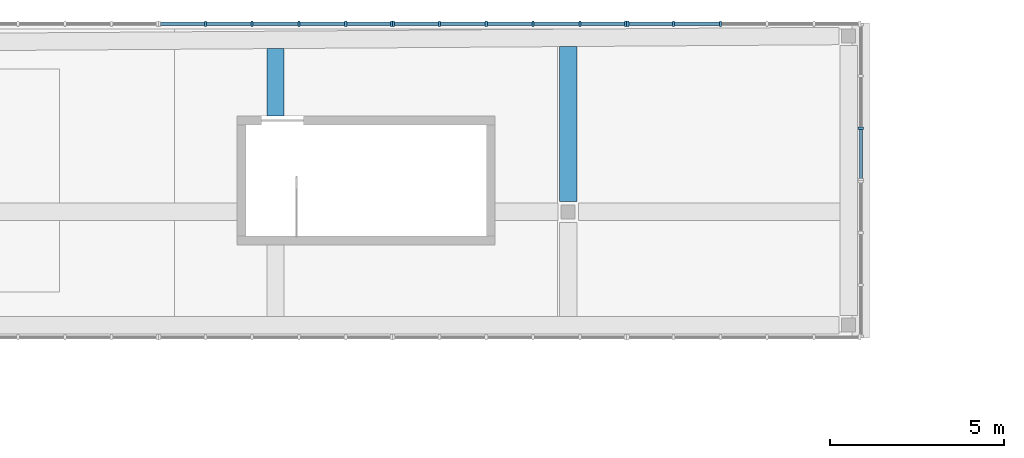
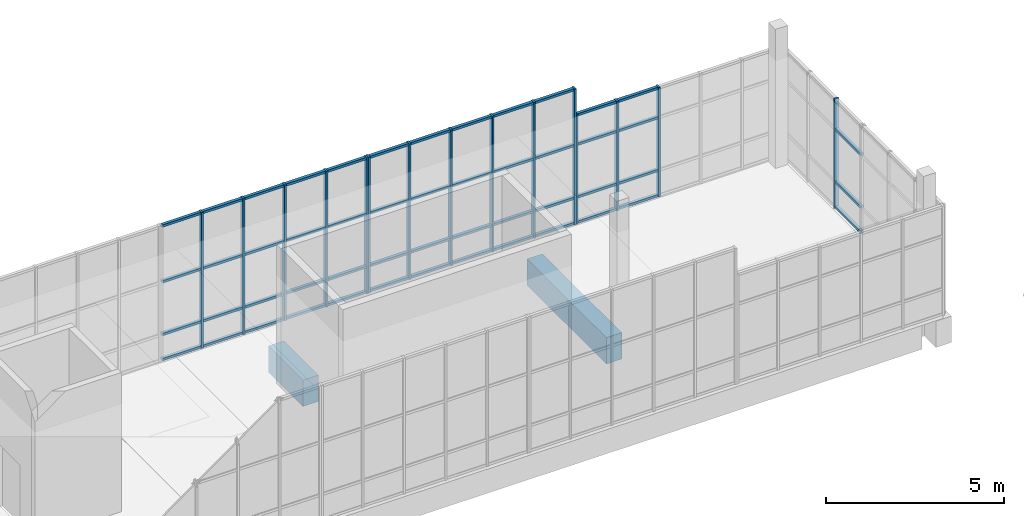
# One storey, part 33 of 103: 66 members, 2 beams, 4 elements without a shape of their own.
"""IFC4 building model written with IfcOpenShell, lengths in metres."""

from ifc_helpers import new_model, si_unit, direction, frame, origin, origin_2d, place, context, subcontext, project, spatial, rectangle, extrude, material, layer, layer_set, material_profile, profile_set, type_object, element, aggregate, save


model = new_model("IFC4")

# Units and contexts
model_context = context("Model", 3, precision=1e-05, world=origin(), true_north=direction((0.0, 1.0)))
body_context = subcontext(model_context, "Body", "Model", "MODEL_VIEW")
ifc_project = project(units=[si_unit("LENGTHUNIT", "METRE"), si_unit("AREAUNIT", "SQUARE_METRE"), si_unit("VOLUMEUNIT", "CUBIC_METRE"), si_unit("PLANEANGLEUNIT", "RADIAN"), si_unit("MASSUNIT", "GRAM", prefix="KILO")], contexts=[model_context])

# Site, building, storey
site_placement = place(None, origin())
site = spatial("IfcSite", under=ifc_project, at=site_placement, CompositionType="ELEMENT")
building_placement = place(site_placement, origin())
building = spatial("IfcBuilding", under=site, at=building_placement, Name="Larchfold Concert Hall", CompositionType="ELEMENT")
storey_placement = place(building_placement, frame((0.0, 0.0, 9.60009765625)))
storey = spatial("IfcBuildingStorey", under=building, at=storey_placement, Name="L02", CompositionType="ELEMENT", Elevation=9.60009765625)

# Curtain wall, member
ifc_material_1 = material(Name="Anodised graphite aluminium curtain wall", Category="aluminium")
ifc_layer = layer(ifc_material_1, 0.14990234375)
ifc_layer_set = layer_set([ifc_layer], Name="Anodised graphite aluminium curtain wall")
curtain_wall_type = type_object("IfcCurtainWallType", Name="Curtain wall WG", PredefinedType="NOTDEFINED", material=ifc_layer_set)
curtain_wall_1_placement = place(storey_placement, origin())
curtain_wall_1 = element("IfcCurtainWall", 1, at=curtain_wall_1_placement, inside=storey, type_object=curtain_wall_type, Name="Curtain wall CW0249", PredefinedType="NOTDEFINED")
ifc_material_2 = material(Name="Anodised graphite aluminium mullion", Category="aluminium")
ifc_material_profile_1 = material_profile(ifc_material_2, rectangle(XDim=0.14990234375, YDim=0.06005859375, at=origin_2d()))
ifc_profile_set_1 = profile_set([ifc_material_profile_1], Name="Anodised graphite aluminium mullion")
member_type_1 = type_object("IfcMemberType", Name="Aluminium mullion 60x150", PredefinedType="MULLION", material=ifc_profile_set_1)
member_1_placement = place(storey_placement, frame((76.199951171875, 129.0, 0.0), z_axis=(0.0, 0.0, 1.0), x_axis=(-1.0, 0.0, 0.0)))
member_1 = element("IfcMember", 2, at=member_1_placement, type_object=member_type_1, Name="CW0249 mullion 2", PredefinedType="MULLION", context=body_context, shape_type="SweptSolid", body=[
    extrude(rectangle(XDim=0.14990234375, YDim=0.06005859375, at=origin_2d()), origin(), (0.0, 0.0, 1.0), 3.75),
])

# Curtain wall, members
curtain_wall_2_placement = place(storey_placement, origin())
curtain_wall_2 = element("IfcCurtainWall", 3, at=curtain_wall_2_placement, inside=storey, type_object=curtain_wall_type, Name="Curtain wall CW0250", PredefinedType="NOTDEFINED")
member_2_placement = place(storey_placement, frame((72.16796875, 132.0, 0.0), z_axis=(0.0, 0.0, 1.0), x_axis=(0.0, -1.0, 0.0)))
member_2 = element("IfcMember", 4, at=member_2_placement, type_object=member_type_1, Name="CW0250 mullion 4", PredefinedType="MULLION", context=body_context, shape_type="SweptSolid", body=[
    extrude(rectangle(XDim=0.14990234375, YDim=0.06005859375, at=origin_2d()), origin(), (0.0, 0.0, 1.0), 3.75),
])
member_3_placement = place(storey_placement, frame((70.823974609375, 132.0, 0.0), z_axis=(0.0, 0.0, 1.0), x_axis=(0.0, -1.0, 0.0)))
member_3 = element("IfcMember", 5, at=member_3_placement, type_object=member_type_1, Name="CW0250 mullion 5", PredefinedType="MULLION", context=body_context, shape_type="SweptSolid", body=[
    extrude(rectangle(XDim=0.14990234375, YDim=0.06005859375, at=origin_2d()), origin(), (0.0, 0.0, 1.0), 3.75),
])
member_4_placement = place(storey_placement, frame((69.510009765625, 132.0, 0.0), z_axis=(0.0, 0.0, 1.0), x_axis=(0.0, -1.0, 0.0)))
member_4 = element("IfcMember", 6, at=member_4_placement, type_object=member_type_1, Name="CW0250 mullion 6", PredefinedType="MULLION", context=body_context, shape_type="SweptSolid", body=[
    extrude(rectangle(XDim=0.14990234375, YDim=0.06005859375, at=origin_2d()), origin(), (0.0, 0.0, 1.0), 3.75),
])

curtain_wall_3_placement = place(storey_placement, origin())
curtain_wall_3 = element("IfcCurtainWall", 7, at=curtain_wall_3_placement, inside=storey, type_object=curtain_wall_type, Name="Curtain wall CW0251", PredefinedType="NOTDEFINED")
member_5_placement = place(storey_placement, frame((69.449951171875, 132.0, 0.0), z_axis=(0.0, 0.0, 1.0), x_axis=(0.0, -1.0, 0.0)))
member_5 = element("IfcMember", 8, at=member_5_placement, type_object=member_type_1, Name="CW0251 mullion 1", PredefinedType="MULLION", context=body_context, shape_type="SweptSolid", body=[
    extrude(rectangle(XDim=0.14990234375, YDim=0.06005859375, at=origin_2d()), origin(), (0.0, 0.0, 1.0), 4.64990234375),
])
member_6_placement = place(storey_placement, frame((68.135986328125, 132.0, 0.0), z_axis=(0.0, 0.0, 1.0), x_axis=(0.0, -1.0, 0.0)))
member_6 = element("IfcMember", 9, at=member_6_placement, type_object=member_type_1, Name="CW0251 mullion 2", PredefinedType="MULLION", context=body_context, shape_type="SweptSolid", body=[
    extrude(rectangle(XDim=0.14990234375, YDim=0.06005859375, at=origin_2d()), origin(), (0.0, 0.0, 1.0), 4.64990234375),
])
member_7_placement = place(storey_placement, frame((66.7919921875, 132.0, 0.0), z_axis=(0.0, 0.0, 1.0), x_axis=(0.0, -1.0, 0.0)))
member_7 = element("IfcMember", 10, at=member_7_placement, type_object=member_type_1, Name="CW0251 mullion 3", PredefinedType="MULLION", context=body_context, shape_type="SweptSolid", body=[
    extrude(rectangle(XDim=0.14990234375, YDim=0.06005859375, at=origin_2d()), origin(), (0.0, 0.0, 1.0), 4.64990234375),
])
member_8_placement = place(storey_placement, frame((65.447998046875, 132.0, 0.0), z_axis=(0.0, 0.0, 1.0), x_axis=(0.0, -1.0, 0.0)))
member_8 = element("IfcMember", 11, at=member_8_placement, type_object=member_type_1, Name="CW0251 mullion 4", PredefinedType="MULLION", context=body_context, shape_type="SweptSolid", body=[
    extrude(rectangle(XDim=0.14990234375, YDim=0.06005859375, at=origin_2d()), origin(), (0.0, 0.0, 1.0), 4.64990234375),
])
member_9_placement = place(storey_placement, frame((64.10400390625, 132.0, 0.0), z_axis=(0.0, 0.0, 1.0), x_axis=(0.0, -1.0, 0.0)))
member_9 = element("IfcMember", 12, at=member_9_placement, type_object=member_type_1, Name="CW0251 mullion 5", PredefinedType="MULLION", context=body_context, shape_type="SweptSolid", body=[
    extrude(rectangle(XDim=0.14990234375, YDim=0.06005859375, at=origin_2d()), origin(), (0.0, 0.0, 1.0), 4.64990234375),
])
member_10_placement = place(storey_placement, frame((62.7900390625, 132.0, 0.0), z_axis=(0.0, 0.0, 1.0), x_axis=(0.0, -1.0, 0.0)))
member_10 = element("IfcMember", 13, at=member_10_placement, type_object=member_type_1, Name="CW0251 mullion 6", PredefinedType="MULLION", context=body_context, shape_type="SweptSolid", body=[
    extrude(rectangle(XDim=0.14990234375, YDim=0.06005859375, at=origin_2d()), origin(), (0.0, 0.0, 1.0), 4.64990234375),
])

curtain_wall_4_placement = place(storey_placement, origin())
curtain_wall_4 = element("IfcCurtainWall", 14, at=curtain_wall_4_placement, inside=storey, type_object=curtain_wall_type, Name="Curtain wall CW0252", PredefinedType="NOTDEFINED")
member_11_placement = place(storey_placement, frame((62.72998046875, 132.0, 0.0), z_axis=(0.0, 0.0, 1.0), x_axis=(0.0, -1.0, 0.0)))
member_11 = element("IfcMember", 15, at=member_11_placement, type_object=member_type_1, Name="CW0252 mullion 1", PredefinedType="MULLION", context=body_context, shape_type="SweptSolid", body=[
    extrude(rectangle(XDim=0.14990234375, YDim=0.06005859375, at=origin_2d()), origin(), (0.0, 0.0, 1.0), 4.64990234375),
])
member_12_placement = place(storey_placement, frame((61.416015625, 132.0, 0.0), z_axis=(0.0, 0.0, 1.0), x_axis=(0.0, -1.0, 0.0)))
member_12 = element("IfcMember", 16, at=member_12_placement, type_object=member_type_1, Name="CW0252 mullion 2", PredefinedType="MULLION", context=body_context, shape_type="SweptSolid", body=[
    extrude(rectangle(XDim=0.14990234375, YDim=0.06005859375, at=origin_2d()), origin(), (0.0, 0.0, 1.0), 4.64990234375),
])
member_13_placement = place(storey_placement, frame((60.072021484375, 132.0, 0.0), z_axis=(0.0, 0.0, 1.0), x_axis=(0.0, -1.0, 0.0)))
member_13 = element("IfcMember", 17, at=member_13_placement, type_object=member_type_1, Name="CW0252 mullion 3", PredefinedType="MULLION", context=body_context, shape_type="SweptSolid", body=[
    extrude(rectangle(XDim=0.14990234375, YDim=0.06005859375, at=origin_2d()), origin(), (0.0, 0.0, 1.0), 4.64990234375),
])
member_14_placement = place(storey_placement, frame((58.72802734375, 132.0, 0.0), z_axis=(0.0, 0.0, 1.0), x_axis=(0.0, -1.0, 0.0)))
member_14 = element("IfcMember", 18, at=member_14_placement, type_object=member_type_1, Name="CW0252 mullion 4", PredefinedType="MULLION", context=body_context, shape_type="SweptSolid", body=[
    extrude(rectangle(XDim=0.14990234375, YDim=0.06005859375, at=origin_2d()), origin(), (0.0, 0.0, 1.0), 4.64990234375),
])
member_15_placement = place(storey_placement, frame((57.384033203125, 132.0, 0.0), z_axis=(0.0, 0.0, 1.0), x_axis=(0.0, -1.0, 0.0)))
member_15 = element("IfcMember", 19, at=member_15_placement, type_object=member_type_1, Name="CW0252 mullion 5", PredefinedType="MULLION", context=body_context, shape_type="SweptSolid", body=[
    extrude(rectangle(XDim=0.14990234375, YDim=0.06005859375, at=origin_2d()), origin(), (0.0, 0.0, 1.0), 4.64990234375),
])

# Member
ifc_material_3 = material(Name="Anodised graphite aluminium transom", Category="aluminium")
ifc_material_profile_2 = material_profile(ifc_material_3, rectangle(XDim=0.10009765625, YDim=0.080078125, at=origin_2d()))
ifc_profile_set_2 = profile_set([ifc_material_profile_2], Name="Anodised graphite aluminium transom")
member_type_2 = type_object("IfcMemberType", Name="Aluminium transom 80x100", PredefinedType="USERDEFINED", material=ifc_profile_set_2)
member_16_placement = place(storey_placement, frame((76.199951171875, 127.56005859375, 0.0400390625), z_axis=(0.0, 1.0, 0.0), x_axis=(-1.0, 0.0, 0.0)))
member_16 = element("IfcMember", 20, at=member_16_placement, type_object=member_type_2, Name="CW0249 transom 1.1", ObjectType="TRANSOM", PredefinedType="USERDEFINED", context=body_context, shape_type="SweptSolid", body=[
    extrude(rectangle(XDim=0.10009765625, YDim=0.080078125, at=origin_2d()), origin(), (0.0, 0.0, 1.0), 1.409912109375),
])

member_17_placement = place(storey_placement, frame((76.199951171875, 127.56005859375, 0.89990234375), z_axis=(0.0, 1.0, 0.0), x_axis=(-1.0, 0.0, 0.0)))
member_17 = element("IfcMember", 21, at=member_17_placement, type_object=member_type_2, Name="CW0249 transom 1.2", ObjectType="TRANSOM", PredefinedType="USERDEFINED", context=body_context, shape_type="SweptSolid", body=[
    extrude(rectangle(XDim=0.10009765625, YDim=0.080078125, at=origin_2d()), origin(), (0.0, 0.0, 1.0), 1.409912109375),
])

member_18_placement = place(storey_placement, frame((76.199951171875, 127.56005859375, 2.699951171875), z_axis=(0.0, 1.0, 0.0), x_axis=(-1.0, 0.0, 0.0)))
member_18 = element("IfcMember", 22, at=member_18_placement, type_object=member_type_2, Name="CW0249 transom 1.3", ObjectType="TRANSOM", PredefinedType="USERDEFINED", context=body_context, shape_type="SweptSolid", body=[
    extrude(rectangle(XDim=0.10009765625, YDim=0.080078125, at=origin_2d()), origin(), (0.0, 0.0, 1.0), 1.409912109375),
])

aggregate(curtain_wall_1, [member_1, member_16, member_17, member_18])

member_19_placement = place(storey_placement, frame((72.137939453125, 132.0, 0.0400390625), z_axis=(-1.0, 0.0, 0.0), x_axis=(0.0, -1.0, 0.0)))
member_19 = element("IfcMember", 23, at=member_19_placement, type_object=member_type_2, Name="CW0250 transom 4.1", ObjectType="TRANSOM", PredefinedType="USERDEFINED", context=body_context, shape_type="SweptSolid", body=[
    extrude(rectangle(XDim=0.10009765625, YDim=0.080078125, at=origin_2d()), origin(), (0.0, 0.0, 1.0), 1.283935546875),
])

member_20_placement = place(storey_placement, frame((72.137939453125, 132.0, 0.89990234375), z_axis=(-1.0, 0.0, 0.0), x_axis=(0.0, -1.0, 0.0)))
member_20 = element("IfcMember", 24, at=member_20_placement, type_object=member_type_2, Name="CW0250 transom 4.2", ObjectType="TRANSOM", PredefinedType="USERDEFINED", context=body_context, shape_type="SweptSolid", body=[
    extrude(rectangle(XDim=0.10009765625, YDim=0.080078125, at=origin_2d()), origin(), (0.0, 0.0, 1.0), 1.283935546875),
])

member_21_placement = place(storey_placement, frame((72.137939453125, 132.0, 2.699951171875), z_axis=(-1.0, 0.0, 0.0), x_axis=(0.0, -1.0, 0.0)))
member_21 = element("IfcMember", 25, at=member_21_placement, type_object=member_type_2, Name="CW0250 transom 4.3", ObjectType="TRANSOM", PredefinedType="USERDEFINED", context=body_context, shape_type="SweptSolid", body=[
    extrude(rectangle(XDim=0.10009765625, YDim=0.080078125, at=origin_2d()), origin(), (0.0, 0.0, 1.0), 1.283935546875),
])

member_22_placement = place(storey_placement, frame((72.137939453125, 132.0, 3.7099609375), z_axis=(-1.0, 0.0, 0.0), x_axis=(0.0, -1.0, 0.0)))
member_22 = element("IfcMember", 26, at=member_22_placement, type_object=member_type_2, Name="CW0250 transom 4.4", ObjectType="TRANSOM", PredefinedType="USERDEFINED", context=body_context, shape_type="SweptSolid", body=[
    extrude(rectangle(XDim=0.10009765625, YDim=0.080078125, at=origin_2d()), origin(), (0.0, 0.0, 1.0), 1.283935546875),
])

member_23_placement = place(storey_placement, frame((70.7939453125, 132.0, 0.0400390625), z_axis=(-1.0, 0.0, 0.0), x_axis=(0.0, -1.0, 0.0)))
member_23 = element("IfcMember", 27, at=member_23_placement, type_object=member_type_2, Name="CW0250 transom 5.1", ObjectType="TRANSOM", PredefinedType="USERDEFINED", context=body_context, shape_type="SweptSolid", body=[
    extrude(rectangle(XDim=0.10009765625, YDim=0.080078125, at=origin_2d()), origin(), (0.0, 0.0, 1.0), 1.25390625),
])

member_24_placement = place(storey_placement, frame((70.7939453125, 132.0, 0.89990234375), z_axis=(-1.0, 0.0, 0.0), x_axis=(0.0, -1.0, 0.0)))
member_24 = element("IfcMember", 28, at=member_24_placement, type_object=member_type_2, Name="CW0250 transom 5.2", ObjectType="TRANSOM", PredefinedType="USERDEFINED", context=body_context, shape_type="SweptSolid", body=[
    extrude(rectangle(XDim=0.10009765625, YDim=0.080078125, at=origin_2d()), origin(), (0.0, 0.0, 1.0), 1.25390625),
])

member_25_placement = place(storey_placement, frame((70.7939453125, 132.0, 2.699951171875), z_axis=(-1.0, 0.0, 0.0), x_axis=(0.0, -1.0, 0.0)))
member_25 = element("IfcMember", 29, at=member_25_placement, type_object=member_type_2, Name="CW0250 transom 5.3", ObjectType="TRANSOM", PredefinedType="USERDEFINED", context=body_context, shape_type="SweptSolid", body=[
    extrude(rectangle(XDim=0.10009765625, YDim=0.080078125, at=origin_2d()), origin(), (0.0, 0.0, 1.0), 1.25390625),
])

member_26_placement = place(storey_placement, frame((70.7939453125, 132.0, 3.7099609375), z_axis=(-1.0, 0.0, 0.0), x_axis=(0.0, -1.0, 0.0)))
member_26 = element("IfcMember", 30, at=member_26_placement, type_object=member_type_2, Name="CW0250 transom 5.4", ObjectType="TRANSOM", PredefinedType="USERDEFINED", context=body_context, shape_type="SweptSolid", body=[
    extrude(rectangle(XDim=0.10009765625, YDim=0.080078125, at=origin_2d()), origin(), (0.0, 0.0, 1.0), 1.25390625),
])

aggregate(curtain_wall_2, [member_2, member_3, member_4, member_19, member_20, member_21, member_22, member_23, member_24, member_25, member_26])

member_27_placement = place(storey_placement, frame((69.419921875, 132.0, 0.0400390625), z_axis=(-1.0, 0.0, 0.0), x_axis=(0.0, -1.0, 0.0)))
member_27 = element("IfcMember", 31, at=member_27_placement, type_object=member_type_2, Name="CW0251 transom 1.1", ObjectType="TRANSOM", PredefinedType="USERDEFINED", context=body_context, shape_type="SweptSolid", body=[
    extrude(rectangle(XDim=0.10009765625, YDim=0.080078125, at=origin_2d()), origin(), (0.0, 0.0, 1.0), 1.25390625),
])

member_28_placement = place(storey_placement, frame((69.419921875, 132.0, 0.89990234375), z_axis=(-1.0, 0.0, 0.0), x_axis=(0.0, -1.0, 0.0)))
member_28 = element("IfcMember", 32, at=member_28_placement, type_object=member_type_2, Name="CW0251 transom 1.2", ObjectType="TRANSOM", PredefinedType="USERDEFINED", context=body_context, shape_type="SweptSolid", body=[
    extrude(rectangle(XDim=0.10009765625, YDim=0.080078125, at=origin_2d()), origin(), (0.0, 0.0, 1.0), 1.25390625),
])

member_29_placement = place(storey_placement, frame((69.419921875, 132.0, 2.699951171875), z_axis=(-1.0, 0.0, 0.0), x_axis=(0.0, -1.0, 0.0)))
member_29 = element("IfcMember", 33, at=member_29_placement, type_object=member_type_2, Name="CW0251 transom 1.3", ObjectType="TRANSOM", PredefinedType="USERDEFINED", context=body_context, shape_type="SweptSolid", body=[
    extrude(rectangle(XDim=0.10009765625, YDim=0.080078125, at=origin_2d()), origin(), (0.0, 0.0, 1.0), 1.25390625),
])

member_30_placement = place(storey_placement, frame((69.419921875, 132.0, 4.60986328125), z_axis=(-1.0, 0.0, 0.0), x_axis=(0.0, -1.0, 0.0)))
member_30 = element("IfcMember", 34, at=member_30_placement, type_object=member_type_2, Name="CW0251 transom 1.4", ObjectType="TRANSOM", PredefinedType="USERDEFINED", context=body_context, shape_type="SweptSolid", body=[
    extrude(rectangle(XDim=0.10009765625, YDim=0.080078125, at=origin_2d()), origin(), (0.0, 0.0, 1.0), 1.25390625),
])

member_31_placement = place(storey_placement, frame((68.10595703125, 132.0, 0.0400390625), z_axis=(-1.0, 0.0, 0.0), x_axis=(0.0, -1.0, 0.0)))
member_31 = element("IfcMember", 35, at=member_31_placement, type_object=member_type_2, Name="CW0251 transom 2.1", ObjectType="TRANSOM", PredefinedType="USERDEFINED", context=body_context, shape_type="SweptSolid", body=[
    extrude(rectangle(XDim=0.10009765625, YDim=0.080078125, at=origin_2d()), origin(), (0.0, 0.0, 1.0), 1.283935546875),
])

member_32_placement = place(storey_placement, frame((68.10595703125, 132.0, 0.89990234375), z_axis=(-1.0, 0.0, 0.0), x_axis=(0.0, -1.0, 0.0)))
member_32 = element("IfcMember", 36, at=member_32_placement, type_object=member_type_2, Name="CW0251 transom 2.2", ObjectType="TRANSOM", PredefinedType="USERDEFINED", context=body_context, shape_type="SweptSolid", body=[
    extrude(rectangle(XDim=0.10009765625, YDim=0.080078125, at=origin_2d()), origin(), (0.0, 0.0, 1.0), 1.283935546875),
])

member_33_placement = place(storey_placement, frame((68.10595703125, 132.0, 2.699951171875), z_axis=(-1.0, 0.0, 0.0), x_axis=(0.0, -1.0, 0.0)))
member_33 = element("IfcMember", 37, at=member_33_placement, type_object=member_type_2, Name="CW0251 transom 2.3", ObjectType="TRANSOM", PredefinedType="USERDEFINED", context=body_context, shape_type="SweptSolid", body=[
    extrude(rectangle(XDim=0.10009765625, YDim=0.080078125, at=origin_2d()), origin(), (0.0, 0.0, 1.0), 1.283935546875),
])

member_34_placement = place(storey_placement, frame((68.10595703125, 132.0, 4.60986328125), z_axis=(-1.0, 0.0, 0.0), x_axis=(0.0, -1.0, 0.0)))
member_34 = element("IfcMember", 38, at=member_34_placement, type_object=member_type_2, Name="CW0251 transom 2.4", ObjectType="TRANSOM", PredefinedType="USERDEFINED", context=body_context, shape_type="SweptSolid", body=[
    extrude(rectangle(XDim=0.10009765625, YDim=0.080078125, at=origin_2d()), origin(), (0.0, 0.0, 1.0), 1.283935546875),
])

member_35_placement = place(storey_placement, frame((66.761962890625, 132.0, 0.0400390625), z_axis=(-1.0, 0.0, 0.0), x_axis=(0.0, -1.0, 0.0)))
member_35 = element("IfcMember", 39, at=member_35_placement, type_object=member_type_2, Name="CW0251 transom 3.1", ObjectType="TRANSOM", PredefinedType="USERDEFINED", context=body_context, shape_type="SweptSolid", body=[
    extrude(rectangle(XDim=0.10009765625, YDim=0.080078125, at=origin_2d()), origin(), (0.0, 0.0, 1.0), 1.283935546875),
])

member_36_placement = place(storey_placement, frame((66.761962890625, 132.0, 0.89990234375), z_axis=(-1.0, 0.0, 0.0), x_axis=(0.0, -1.0, 0.0)))
member_36 = element("IfcMember", 40, at=member_36_placement, type_object=member_type_2, Name="CW0251 transom 3.2", ObjectType="TRANSOM", PredefinedType="USERDEFINED", context=body_context, shape_type="SweptSolid", body=[
    extrude(rectangle(XDim=0.10009765625, YDim=0.080078125, at=origin_2d()), origin(), (0.0, 0.0, 1.0), 1.283935546875),
])

member_37_placement = place(storey_placement, frame((66.761962890625, 132.0, 2.699951171875), z_axis=(-1.0, 0.0, 0.0), x_axis=(0.0, -1.0, 0.0)))
member_37 = element("IfcMember", 41, at=member_37_placement, type_object=member_type_2, Name="CW0251 transom 3.3", ObjectType="TRANSOM", PredefinedType="USERDEFINED", context=body_context, shape_type="SweptSolid", body=[
    extrude(rectangle(XDim=0.10009765625, YDim=0.080078125, at=origin_2d()), origin(), (0.0, 0.0, 1.0), 1.283935546875),
])

member_38_placement = place(storey_placement, frame((66.761962890625, 132.0, 4.60986328125), z_axis=(-1.0, 0.0, 0.0), x_axis=(0.0, -1.0, 0.0)))
member_38 = element("IfcMember", 42, at=member_38_placement, type_object=member_type_2, Name="CW0251 transom 3.4", ObjectType="TRANSOM", PredefinedType="USERDEFINED", context=body_context, shape_type="SweptSolid", body=[
    extrude(rectangle(XDim=0.10009765625, YDim=0.080078125, at=origin_2d()), origin(), (0.0, 0.0, 1.0), 1.283935546875),
])

member_39_placement = place(storey_placement, frame((65.41796875, 132.0, 0.0400390625), z_axis=(-1.0, 0.0, 0.0), x_axis=(0.0, -1.0, 0.0)))
member_39 = element("IfcMember", 43, at=member_39_placement, type_object=member_type_2, Name="CW0251 transom 4.1", ObjectType="TRANSOM", PredefinedType="USERDEFINED", context=body_context, shape_type="SweptSolid", body=[
    extrude(rectangle(XDim=0.10009765625, YDim=0.080078125, at=origin_2d()), origin(), (0.0, 0.0, 1.0), 1.283935546875),
])

member_40_placement = place(storey_placement, frame((65.41796875, 132.0, 0.89990234375), z_axis=(-1.0, 0.0, 0.0), x_axis=(0.0, -1.0, 0.0)))
member_40 = element("IfcMember", 44, at=member_40_placement, type_object=member_type_2, Name="CW0251 transom 4.2", ObjectType="TRANSOM", PredefinedType="USERDEFINED", context=body_context, shape_type="SweptSolid", body=[
    extrude(rectangle(XDim=0.10009765625, YDim=0.080078125, at=origin_2d()), origin(), (0.0, 0.0, 1.0), 1.283935546875),
])

member_41_placement = place(storey_placement, frame((65.41796875, 132.0, 2.699951171875), z_axis=(-1.0, 0.0, 0.0), x_axis=(0.0, -1.0, 0.0)))
member_41 = element("IfcMember", 45, at=member_41_placement, type_object=member_type_2, Name="CW0251 transom 4.3", ObjectType="TRANSOM", PredefinedType="USERDEFINED", context=body_context, shape_type="SweptSolid", body=[
    extrude(rectangle(XDim=0.10009765625, YDim=0.080078125, at=origin_2d()), origin(), (0.0, 0.0, 1.0), 1.283935546875),
])

member_42_placement = place(storey_placement, frame((65.41796875, 132.0, 4.60986328125), z_axis=(-1.0, 0.0, 0.0), x_axis=(0.0, -1.0, 0.0)))
member_42 = element("IfcMember", 46, at=member_42_placement, type_object=member_type_2, Name="CW0251 transom 4.4", ObjectType="TRANSOM", PredefinedType="USERDEFINED", context=body_context, shape_type="SweptSolid", body=[
    extrude(rectangle(XDim=0.10009765625, YDim=0.080078125, at=origin_2d()), origin(), (0.0, 0.0, 1.0), 1.283935546875),
])

member_43_placement = place(storey_placement, frame((64.073974609375, 132.0, 0.0400390625), z_axis=(-1.0, 0.0, 0.0), x_axis=(0.0, -1.0, 0.0)))
member_43 = element("IfcMember", 47, at=member_43_placement, type_object=member_type_2, Name="CW0251 transom 5.1", ObjectType="TRANSOM", PredefinedType="USERDEFINED", context=body_context, shape_type="SweptSolid", body=[
    extrude(rectangle(XDim=0.10009765625, YDim=0.080078125, at=origin_2d()), origin(), (0.0, 0.0, 1.0), 1.25390625),
])

member_44_placement = place(storey_placement, frame((64.073974609375, 132.0, 0.89990234375), z_axis=(-1.0, 0.0, 0.0), x_axis=(0.0, -1.0, 0.0)))
member_44 = element("IfcMember", 48, at=member_44_placement, type_object=member_type_2, Name="CW0251 transom 5.2", ObjectType="TRANSOM", PredefinedType="USERDEFINED", context=body_context, shape_type="SweptSolid", body=[
    extrude(rectangle(XDim=0.10009765625, YDim=0.080078125, at=origin_2d()), origin(), (0.0, 0.0, 1.0), 1.25390625),
])

member_45_placement = place(storey_placement, frame((64.073974609375, 132.0, 2.699951171875), z_axis=(-1.0, 0.0, 0.0), x_axis=(0.0, -1.0, 0.0)))
member_45 = element("IfcMember", 49, at=member_45_placement, type_object=member_type_2, Name="CW0251 transom 5.3", ObjectType="TRANSOM", PredefinedType="USERDEFINED", context=body_context, shape_type="SweptSolid", body=[
    extrude(rectangle(XDim=0.10009765625, YDim=0.080078125, at=origin_2d()), origin(), (0.0, 0.0, 1.0), 1.25390625),
])

member_46_placement = place(storey_placement, frame((64.073974609375, 132.0, 4.60986328125), z_axis=(-1.0, 0.0, 0.0), x_axis=(0.0, -1.0, 0.0)))
member_46 = element("IfcMember", 50, at=member_46_placement, type_object=member_type_2, Name="CW0251 transom 5.4", ObjectType="TRANSOM", PredefinedType="USERDEFINED", context=body_context, shape_type="SweptSolid", body=[
    extrude(rectangle(XDim=0.10009765625, YDim=0.080078125, at=origin_2d()), origin(), (0.0, 0.0, 1.0), 1.25390625),
])

aggregate(curtain_wall_3, [member_5, member_6, member_7, member_8, member_9, member_10, member_27, member_28, member_29, member_30, member_31, member_32, member_33, member_34, member_35, member_36, member_37, member_38, member_39, member_40, member_41, member_42, member_43, member_44, member_45, member_46])

member_47_placement = place(storey_placement, frame((62.699951171875, 132.0, 0.0400390625), z_axis=(-1.0, 0.0, 0.0), x_axis=(0.0, -1.0, 0.0)))
member_47 = element("IfcMember", 51, at=member_47_placement, type_object=member_type_2, Name="CW0252 transom 1.1", ObjectType="TRANSOM", PredefinedType="USERDEFINED", context=body_context, shape_type="SweptSolid", body=[
    extrude(rectangle(XDim=0.10009765625, YDim=0.080078125, at=origin_2d()), origin(), (0.0, 0.0, 1.0), 1.25390625),
])

member_48_placement = place(storey_placement, frame((62.699951171875, 132.0, 0.89990234375), z_axis=(-1.0, 0.0, 0.0), x_axis=(0.0, -1.0, 0.0)))
member_48 = element("IfcMember", 52, at=member_48_placement, type_object=member_type_2, Name="CW0252 transom 1.2", ObjectType="TRANSOM", PredefinedType="USERDEFINED", context=body_context, shape_type="SweptSolid", body=[
    extrude(rectangle(XDim=0.10009765625, YDim=0.080078125, at=origin_2d()), origin(), (0.0, 0.0, 1.0), 1.25390625),
])

member_49_placement = place(storey_placement, frame((62.699951171875, 132.0, 2.699951171875), z_axis=(-1.0, 0.0, 0.0), x_axis=(0.0, -1.0, 0.0)))
member_49 = element("IfcMember", 53, at=member_49_placement, type_object=member_type_2, Name="CW0252 transom 1.3", ObjectType="TRANSOM", PredefinedType="USERDEFINED", context=body_context, shape_type="SweptSolid", body=[
    extrude(rectangle(XDim=0.10009765625, YDim=0.080078125, at=origin_2d()), origin(), (0.0, 0.0, 1.0), 1.25390625),
])

member_50_placement = place(storey_placement, frame((62.699951171875, 132.0, 4.60986328125), z_axis=(-1.0, 0.0, 0.0), x_axis=(0.0, -1.0, 0.0)))
member_50 = element("IfcMember", 54, at=member_50_placement, type_object=member_type_2, Name="CW0252 transom 1.4", ObjectType="TRANSOM", PredefinedType="USERDEFINED", context=body_context, shape_type="SweptSolid", body=[
    extrude(rectangle(XDim=0.10009765625, YDim=0.080078125, at=origin_2d()), origin(), (0.0, 0.0, 1.0), 1.25390625),
])

member_51_placement = place(storey_placement, frame((61.385986328125, 132.0, 0.0400390625), z_axis=(-1.0, 0.0, 0.0), x_axis=(0.0, -1.0, 0.0)))
member_51 = element("IfcMember", 55, at=member_51_placement, type_object=member_type_2, Name="CW0252 transom 2.1", ObjectType="TRANSOM", PredefinedType="USERDEFINED", context=body_context, shape_type="SweptSolid", body=[
    extrude(rectangle(XDim=0.10009765625, YDim=0.080078125, at=origin_2d()), origin(), (0.0, 0.0, 1.0), 1.283935546875),
])

member_52_placement = place(storey_placement, frame((61.385986328125, 132.0, 0.89990234375), z_axis=(-1.0, 0.0, 0.0), x_axis=(0.0, -1.0, 0.0)))
member_52 = element("IfcMember", 56, at=member_52_placement, type_object=member_type_2, Name="CW0252 transom 2.2", ObjectType="TRANSOM", PredefinedType="USERDEFINED", context=body_context, shape_type="SweptSolid", body=[
    extrude(rectangle(XDim=0.10009765625, YDim=0.080078125, at=origin_2d()), origin(), (0.0, 0.0, 1.0), 1.283935546875),
])

member_53_placement = place(storey_placement, frame((61.385986328125, 132.0, 2.699951171875), z_axis=(-1.0, 0.0, 0.0), x_axis=(0.0, -1.0, 0.0)))
member_53 = element("IfcMember", 57, at=member_53_placement, type_object=member_type_2, Name="CW0252 transom 2.3", ObjectType="TRANSOM", PredefinedType="USERDEFINED", context=body_context, shape_type="SweptSolid", body=[
    extrude(rectangle(XDim=0.10009765625, YDim=0.080078125, at=origin_2d()), origin(), (0.0, 0.0, 1.0), 1.283935546875),
])

member_54_placement = place(storey_placement, frame((61.385986328125, 132.0, 4.60986328125), z_axis=(-1.0, 0.0, 0.0), x_axis=(0.0, -1.0, 0.0)))
member_54 = element("IfcMember", 58, at=member_54_placement, type_object=member_type_2, Name="CW0252 transom 2.4", ObjectType="TRANSOM", PredefinedType="USERDEFINED", context=body_context, shape_type="SweptSolid", body=[
    extrude(rectangle(XDim=0.10009765625, YDim=0.080078125, at=origin_2d()), origin(), (0.0, 0.0, 1.0), 1.283935546875),
])

member_55_placement = place(storey_placement, frame((60.0419921875, 132.0, 0.0400390625), z_axis=(-1.0, 0.0, 0.0), x_axis=(0.0, -1.0, 0.0)))
member_55 = element("IfcMember", 59, at=member_55_placement, type_object=member_type_2, Name="CW0252 transom 3.1", ObjectType="TRANSOM", PredefinedType="USERDEFINED", context=body_context, shape_type="SweptSolid", body=[
    extrude(rectangle(XDim=0.10009765625, YDim=0.080078125, at=origin_2d()), origin(), (0.0, 0.0, 1.0), 1.283935546875),
])

member_56_placement = place(storey_placement, frame((60.0419921875, 132.0, 0.89990234375), z_axis=(-1.0, 0.0, 0.0), x_axis=(0.0, -1.0, 0.0)))
member_56 = element("IfcMember", 60, at=member_56_placement, type_object=member_type_2, Name="CW0252 transom 3.2", ObjectType="TRANSOM", PredefinedType="USERDEFINED", context=body_context, shape_type="SweptSolid", body=[
    extrude(rectangle(XDim=0.10009765625, YDim=0.080078125, at=origin_2d()), origin(), (0.0, 0.0, 1.0), 1.283935546875),
])

member_57_placement = place(storey_placement, frame((60.0419921875, 132.0, 2.699951171875), z_axis=(-1.0, 0.0, 0.0), x_axis=(0.0, -1.0, 0.0)))
member_57 = element("IfcMember", 61, at=member_57_placement, type_object=member_type_2, Name="CW0252 transom 3.3", ObjectType="TRANSOM", PredefinedType="USERDEFINED", context=body_context, shape_type="SweptSolid", body=[
    extrude(rectangle(XDim=0.10009765625, YDim=0.080078125, at=origin_2d()), origin(), (0.0, 0.0, 1.0), 1.283935546875),
])

member_58_placement = place(storey_placement, frame((60.0419921875, 132.0, 4.60986328125), z_axis=(-1.0, 0.0, 0.0), x_axis=(0.0, -1.0, 0.0)))
member_58 = element("IfcMember", 62, at=member_58_placement, type_object=member_type_2, Name="CW0252 transom 3.4", ObjectType="TRANSOM", PredefinedType="USERDEFINED", context=body_context, shape_type="SweptSolid", body=[
    extrude(rectangle(XDim=0.10009765625, YDim=0.080078125, at=origin_2d()), origin(), (0.0, 0.0, 1.0), 1.283935546875),
])

member_59_placement = place(storey_placement, frame((58.697998046875, 132.0, 0.0400390625), z_axis=(-1.0, 0.0, 0.0), x_axis=(0.0, -1.0, 0.0)))
member_59 = element("IfcMember", 63, at=member_59_placement, type_object=member_type_2, Name="CW0252 transom 4.1", ObjectType="TRANSOM", PredefinedType="USERDEFINED", context=body_context, shape_type="SweptSolid", body=[
    extrude(rectangle(XDim=0.10009765625, YDim=0.080078125, at=origin_2d()), origin(), (0.0, 0.0, 1.0), 1.283935546875),
])

member_60_placement = place(storey_placement, frame((58.697998046875, 132.0, 0.89990234375), z_axis=(-1.0, 0.0, 0.0), x_axis=(0.0, -1.0, 0.0)))
member_60 = element("IfcMember", 64, at=member_60_placement, type_object=member_type_2, Name="CW0252 transom 4.2", ObjectType="TRANSOM", PredefinedType="USERDEFINED", context=body_context, shape_type="SweptSolid", body=[
    extrude(rectangle(XDim=0.10009765625, YDim=0.080078125, at=origin_2d()), origin(), (0.0, 0.0, 1.0), 1.283935546875),
])

member_61_placement = place(storey_placement, frame((58.697998046875, 132.0, 2.699951171875), z_axis=(-1.0, 0.0, 0.0), x_axis=(0.0, -1.0, 0.0)))
member_61 = element("IfcMember", 65, at=member_61_placement, type_object=member_type_2, Name="CW0252 transom 4.3", ObjectType="TRANSOM", PredefinedType="USERDEFINED", context=body_context, shape_type="SweptSolid", body=[
    extrude(rectangle(XDim=0.10009765625, YDim=0.080078125, at=origin_2d()), origin(), (0.0, 0.0, 1.0), 1.283935546875),
])

member_62_placement = place(storey_placement, frame((58.697998046875, 132.0, 4.60986328125), z_axis=(-1.0, 0.0, 0.0), x_axis=(0.0, -1.0, 0.0)))
member_62 = element("IfcMember", 66, at=member_62_placement, type_object=member_type_2, Name="CW0252 transom 4.4", ObjectType="TRANSOM", PredefinedType="USERDEFINED", context=body_context, shape_type="SweptSolid", body=[
    extrude(rectangle(XDim=0.10009765625, YDim=0.080078125, at=origin_2d()), origin(), (0.0, 0.0, 1.0), 1.283935546875),
])

member_63_placement = place(storey_placement, frame((57.35400390625, 132.0, 0.0400390625), z_axis=(-1.0, 0.0, 0.0), x_axis=(0.0, -1.0, 0.0)))
member_63 = element("IfcMember", 67, at=member_63_placement, type_object=member_type_2, Name="CW0252 transom 5.1", ObjectType="TRANSOM", PredefinedType="USERDEFINED", context=body_context, shape_type="SweptSolid", body=[
    extrude(rectangle(XDim=0.10009765625, YDim=0.080078125, at=origin_2d()), origin(), (0.0, 0.0, 1.0), 1.25390625),
])

member_64_placement = place(storey_placement, frame((57.35400390625, 132.0, 0.89990234375), z_axis=(-1.0, 0.0, 0.0), x_axis=(0.0, -1.0, 0.0)))
member_64 = element("IfcMember", 68, at=member_64_placement, type_object=member_type_2, Name="CW0252 transom 5.2", ObjectType="TRANSOM", PredefinedType="USERDEFINED", context=body_context, shape_type="SweptSolid", body=[
    extrude(rectangle(XDim=0.10009765625, YDim=0.080078125, at=origin_2d()), origin(), (0.0, 0.0, 1.0), 1.25390625),
])

member_65_placement = place(storey_placement, frame((57.35400390625, 132.0, 2.699951171875), z_axis=(-1.0, 0.0, 0.0), x_axis=(0.0, -1.0, 0.0)))
member_65 = element("IfcMember", 69, at=member_65_placement, type_object=member_type_2, Name="CW0252 transom 5.3", ObjectType="TRANSOM", PredefinedType="USERDEFINED", context=body_context, shape_type="SweptSolid", body=[
    extrude(rectangle(XDim=0.10009765625, YDim=0.080078125, at=origin_2d()), origin(), (0.0, 0.0, 1.0), 1.25390625),
])

member_66_placement = place(storey_placement, frame((57.35400390625, 132.0, 4.60986328125), z_axis=(-1.0, 0.0, 0.0), x_axis=(0.0, -1.0, 0.0)))
member_66 = element("IfcMember", 70, at=member_66_placement, type_object=member_type_2, Name="CW0252 transom 5.4", ObjectType="TRANSOM", PredefinedType="USERDEFINED", context=body_context, shape_type="SweptSolid", body=[
    extrude(rectangle(XDim=0.10009765625, YDim=0.080078125, at=origin_2d()), origin(), (0.0, 0.0, 1.0), 1.25390625),
])

aggregate(curtain_wall_4, [member_11, member_12, member_13, member_14, member_15, member_47, member_48, member_49, member_50, member_51, member_52, member_53, member_54, member_55, member_56, member_57, member_58, member_59, member_60, member_61, member_62, member_63, member_64, member_65, member_66])

# Beams
ifc_material_4 = material(Name="Concrete C35/45", Category="concrete")
ifc_material_profile_3 = material_profile(ifc_material_4, rectangle(XDim=0.5, YDim=0.89990234375, at=origin_2d()))
ifc_profile_set_3 = profile_set([ifc_material_profile_3], Name="Concrete C35/45")
beam_type = type_object("IfcBeamType", Name="Beam RC 500x900", PredefinedType="BEAM", material=ifc_profile_set_3)
beam_1_placement = place(storey_placement, frame((59.39990234375, 129.35009765625, -0.60009765625), z_axis=(0.0, 1.0, 0.0), x_axis=(-1.0, 0.0, 0.0)))
element("IfcBeam", 71, at=beam_1_placement, inside=storey, type_object=beam_type, Name="Beam B1978", PredefinedType="BEAM", context=body_context, shape_type="SweptSolid", body=[
    extrude(rectangle(XDim=0.5, YDim=0.89990234375, at=origin_2d()), origin(), (0.0, 0.0, 1.0), 1.93603515625),
])
beam_2_placement = place(storey_placement, frame((67.800048828125, 126.898681640625, -0.60009765625), z_axis=(0.0, 1.0, 0.0), x_axis=(-1.0, 0.0, 0.0)))
element("IfcBeam", 72, at=beam_2_placement, inside=storey, type_object=beam_type, Name="Beam B1980", PredefinedType="BEAM", context=body_context, shape_type="SweptSolid", body=[
    extrude(rectangle(XDim=0.5, YDim=0.89990234375, at=origin_2d()), origin(), (0.0, 0.0, 1.0), 4.445556640625),
])

save(model, "model.ifc")
